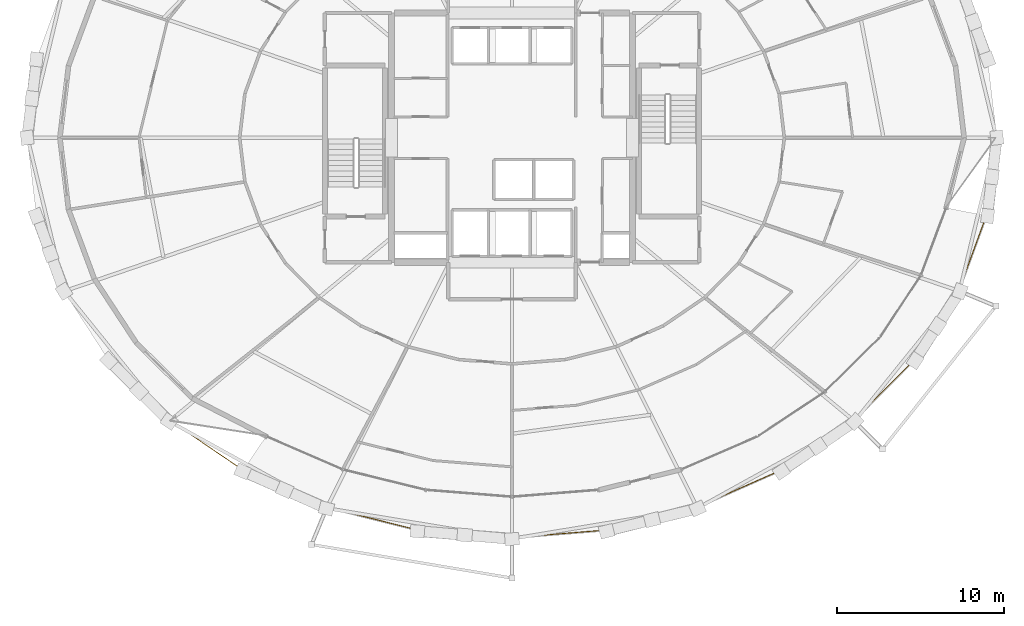
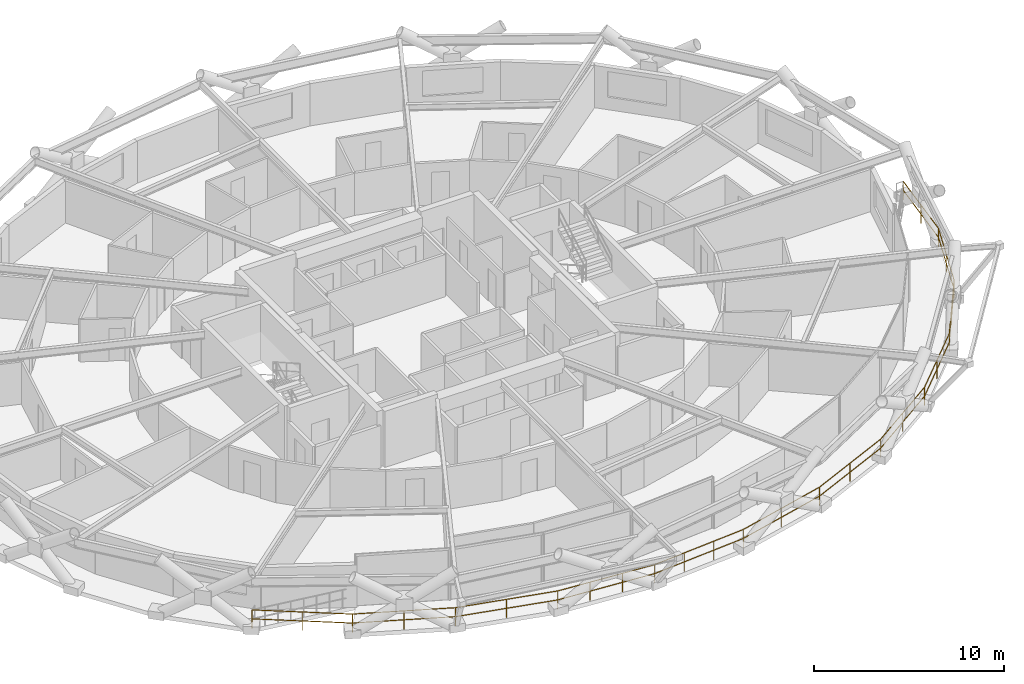
# One storey, part 19 of 20: 1 railing.
"""IFC4 building model written with IfcOpenShell, lengths in metres."""

import ifcopenshell
import ifcopenshell.guid

model = None  # the IFC model being written
_history = None  # IfcOwnerHistory: only IFC2X3 demands one
_inside = {}  # id of a spatial element -> (the spatial element, [elements in it])
_under = {}  # id of a project, library or spatial element -> (it, [spatial elements below it])
_declared = {}  # id of a project -> (the project, [libraries it declares])
_typed = {}  # id of a type object -> (the type object, [elements of that type])
_made_of = {}  # id of a material, layer set ... -> (it, [elements and type objects made of it])


def new_model(schema):
    """Start an empty IFC model of exactly this schema.

    Asked for "IFC4X3", IfcOpenShell would pick the latest addendum, in which some entities
    have other attributes; the version numbers below select the first issue.
    IFC2X3 requires an IfcOwnerHistory on every rooted entity: one is made here for all.
    """
    global model, _history
    if schema == "IFC4X3":
        model = ifcopenshell.file(schema_version=(4, 3, 0, 0))
    else:
        model = ifcopenshell.file(schema=schema)
    _inside.clear()
    _under.clear()
    _declared.clear()
    _typed.clear()
    _made_of.clear()
    _history = None
    if model.schema == "IFC2X3":
        org = make("IfcOrganization", Name="unknown")
        user = make(
            "IfcPersonAndOrganization",
            ThePerson=make("IfcPerson", FamilyName="unknown"),
            TheOrganization=org,
        )
        app = make(
            "IfcApplication",
            ApplicationDeveloper=org,
            Version="unknown",
            ApplicationFullName="unknown",
            ApplicationIdentifier="unknown",
        )
        _history = make(
            "IfcOwnerHistory",
            OwningUser=user,
            OwningApplication=app,
            ChangeAction="ADDED",
            CreationDate=0,
        )
    return model


def make(cls, **values):
    """One entity of the class cls with the attributes given. An attribute that is None is left unset."""
    return model.create_entity(
        cls, **{name: value for name, value in values.items() if value is not None}
    )


def rooted(cls, **values):
    """An entity with a GlobalId (a new one), such as an element, a storey or a relation."""
    return make(cls, GlobalId=ifcopenshell.guid.new(), OwnerHistory=_history, **values)


def si_unit(unit_type, name, prefix=None):
    """IfcSIUnit, for example si_unit("LENGTHUNIT", "METRE", prefix="MILLI")."""
    return make("IfcSIUnit", UnitType=unit_type, Prefix=prefix, Name=name)


def assignment(units):
    """IfcUnitAssignment: the units of a project."""
    return None if units is None else make("IfcUnitAssignment", Units=units)


def point(xyz):
    """IfcCartesianPoint."""
    return None if xyz is None else make("IfcCartesianPoint", Coordinates=xyz)


def direction(xyz):
    """IfcDirection."""
    return None if xyz is None else make("IfcDirection", DirectionRatios=xyz)


def frame(location, z_axis=None, x_axis=None):
    """IfcAxis2Placement3D, a coordinate frame: its origin and axes. An axis left out is left unset."""
    return make(
        "IfcAxis2Placement3D",
        Location=point(location),
        Axis=direction(z_axis),
        RefDirection=direction(x_axis),
    )


def frame_2d(location, x_axis=None):
    """IfcAxis2Placement2D, a coordinate frame in the plane: its origin and x axis."""
    return make(
        "IfcAxis2Placement2D", Location=point(location), RefDirection=direction(x_axis)
    )


def origin():
    """The frame at (0, 0, 0) with its axes left unset."""
    return frame((0.0, 0.0, 0.0))


def origin_2d():
    """The frame at (0, 0) in the plane with its x axis left unset."""
    return frame_2d((0.0, 0.0))


def place(relative_to, where):
    """IfcLocalPlacement: puts the frame where relative to a parent placement (None: the world)."""
    return make(
        "IfcLocalPlacement", PlacementRelTo=relative_to, RelativePlacement=where
    )


def context(
    kind, dimensions, precision=None, world=None, true_north=None, identifier=None
):
    """IfcGeometricRepresentationContext, for example the 3D "Model" context."""
    return make(
        "IfcGeometricRepresentationContext",
        ContextIdentifier=identifier,
        ContextType=kind,
        CoordinateSpaceDimension=dimensions,
        Precision=precision,
        WorldCoordinateSystem=world,
        TrueNorth=true_north,
    )


def subcontext(parent, identifier, kind, view, scale=None):
    """IfcGeometricRepresentationSubContext, for example "Body" below "Model"."""
    return make(
        "IfcGeometricRepresentationSubContext",
        ContextIdentifier=identifier,
        ContextType=kind,
        ParentContext=parent,
        TargetScale=scale,
        TargetView=view,
    )


def project(units=None, contexts=None):
    """IfcProject with its units and contexts."""
    return rooted(
        "IfcProject",
        Name="project",
        RepresentationContexts=contexts,
        UnitsInContext=assignment(units),
    )


def spatial(cls, under=None, at=None, **own):
    """A site, building, storey or space (cls), placed at a placement, below another one or the project."""
    s = rooted(cls, ObjectPlacement=at, **own)
    if under is not None:
        _under.setdefault(under.id(), (under, []))[1].append(s)
    return s


def profile(cls, at=None, kind="AREA", **sizes):
    """A parametric profile (cls). Its sizes go by their IFC names, for example OverallWidth=200.0."""
    return make(cls, ProfileType=kind, Position=at, **sizes)


def circle(**sizes):
    """IfcCircleProfileDef."""
    return profile("IfcCircleProfileDef", **sizes)


def extrude(swept, where, along, depth):
    """IfcExtrudedAreaSolid: the profile swept, set in the frame where, extruded along a direction by depth."""
    return make(
        "IfcExtrudedAreaSolid",
        SweptArea=swept,
        Position=where,
        ExtrudedDirection=direction(along),
        Depth=depth,
    )


def shape(context_of_items, identifier, shape_type, items):
    """IfcShapeRepresentation: the items that make up one representation, for example the "Body"."""
    return make(
        "IfcShapeRepresentation",
        ContextOfItems=context_of_items,
        RepresentationIdentifier=identifier,
        RepresentationType=shape_type,
        Items=items,
    )


def material(Name=None, Category=None):
    """IfcMaterial."""
    return make("IfcMaterial", Name=Name, Category=Category)


def made_of(thing, what):
    """Note that an element or type object is made of a material, layer set ...; save() writes the relation."""
    if what is not None:
        _made_of.setdefault(what.id(), (what, []))[1].append(thing)
    return thing


def type_object(cls, material=None, **own):
    """A type object (cls), such as IfcWallType, which elements share."""
    return made_of(rooted(cls, **own), material)


def element(
    cls,
    number,
    at=None,
    inside=None,
    cuts=None,
    type_object=None,
    material=None,
    context=None,
    identifier="Body",
    shape_type=None,
    held_by="IfcProductDefinitionShape",
    body=None,
    shapes=None,
    **own,
):
    """One element of the class cls, such as IfcWall. Its Tag is "e" and its number.

    at: its placement. inside: the storey or other place that contains it. cuts: it is an
    opening in that element (IfcRelVoidsElement). A single representation is given by context,
    identifier, shape_type and body (its items); several are given by shapes. held_by: the class
    of the entity that holds the representations. save() writes the other relations.
    """
    e = rooted(cls, Tag="e%d" % number, ObjectPlacement=at, **own)
    if body is not None:
        shapes = [shape(context, identifier, shape_type, body)]
    if shapes is not None:
        e.Representation = make(held_by, Representations=shapes)
    if inside is not None:
        _inside.setdefault(inside.id(), (inside, []))[1].append(e)
    if cuts is not None:
        rooted(
            "IfcRelVoidsElement", RelatingBuildingElement=cuts, RelatedOpeningElement=e
        )
    if type_object is not None:
        _typed.setdefault(type_object.id(), (type_object, []))[1].append(e)
    return made_of(e, material)


def aggregate(whole, parts):
    """IfcRelAggregates: a whole, such as a stair, and the parts it consists of."""
    return rooted("IfcRelAggregates", RelatingObject=whole, RelatedObjects=parts)


def save(model, path):
    """Write the relations noted so far, then the file.

    IfcRelAggregates (storeys below a building ...), IfcRelContainedInSpatialStructure (elements
    in a storey), IfcRelDefinesByType, IfcRelAssociatesMaterial and IfcRelDeclares: one each for
    every whole, place, type object, material and project.
    """
    for whole, parts in _under.values():
        aggregate(whole, parts)
    for where, things in _inside.values():
        rooted(
            "IfcRelContainedInSpatialStructure",
            RelatedElements=things,
            RelatingStructure=where,
        )
    for kind, things in _typed.values():
        rooted("IfcRelDefinesByType", RelatedObjects=things, RelatingType=kind)
    for what, things in _made_of.values():
        rooted("IfcRelAssociatesMaterial", RelatedObjects=things, RelatingMaterial=what)
    for by, libraries in _declared.values():
        rooted("IfcRelDeclares", RelatingContext=by, RelatedDefinitions=libraries)
    model.write(path)


model = new_model("IFC4")

# Units and contexts
model_context = context("Model", 3, precision=1e-05, world=origin(), true_north=direction((0.0, 1.0)))
body_context = subcontext(model_context, "Body", "Model", "MODEL_VIEW")
ifc_project = project(units=[si_unit("LENGTHUNIT", "METRE"), si_unit("AREAUNIT", "SQUARE_METRE"), si_unit("VOLUMEUNIT", "CUBIC_METRE"), si_unit("PLANEANGLEUNIT", "RADIAN"), si_unit("MASSUNIT", "GRAM", prefix="KILO")], contexts=[model_context])

# Site, building, storey
site_placement = place(None, origin())
site = spatial("IfcSite", under=ifc_project, at=site_placement, CompositionType="ELEMENT")
building_placement = place(site_placement, origin())
building = spatial("IfcBuilding", under=site, at=building_placement, Name="Veldorina Hangang Commons", CompositionType="ELEMENT")
storey_placement = place(building_placement, frame((0.0, 0.0, 84.39990234375)))
storey = spatial("IfcBuildingStorey", under=building, at=storey_placement, Name="L21", CompositionType="ELEMENT", Elevation=84.39990234375)

# Railing
ifc_material = material(Name="Glass Laminated Safety Balustrade", Category="glass")
railing_type = type_object("IfcRailingType", Name="RL-BAL-LOGGIA", PredefinedType="BALUSTRADE", material=ifc_material)
railing_placement = place(storey_placement, frame((11.5703125, 7.0908203125, 0.0)))
element("IfcRailing", 1, at=railing_placement, inside=storey, type_object=railing_type, Name="L21 sky-garden loggia outer balustrade", PredefinedType="BALUSTRADE", context=body_context, shape_type="SweptSolid", body=[
    extrude(circle(Radius=0.02392578125, at=origin_2d()), frame((0.0, 0.0, 1.17578125), z_axis=(0.82752399083, -0.561430355966, 0.0), x_axis=(0.561430355966, 0.82752399083, 0.0)), (0.0, 0.0, 1.0), 5.29296875),
    extrude(circle(Radius=0.02392578125, at=origin_2d()), frame((0.0, 0.0, 0.60009765625), z_axis=(0.82752399083, -0.561430355966, 0.0), x_axis=(0.561430355966, 0.82752399083, 0.0)), (0.0, 0.0, 1.0), 5.29296875),
    extrude(circle(Radius=0.02392578125, at=origin_2d()), frame((4.380126953125, -2.9716796875, 1.17578125), z_axis=(0.914708893426, -0.404113400282, 0.0), x_axis=(0.404113400282, 0.914708893426, 0.0)), (0.0, 0.0, 1.0), 5.46142578125),
    extrude(circle(Radius=0.02392578125, at=origin_2d()), frame((4.380126953125, -2.9716796875, 0.60009765625), z_axis=(0.914708893426, -0.404113400282, 0.0), x_axis=(0.404113400282, 0.914708893426, 0.0)), (0.0, 0.0, 1.0), 5.46142578125),
    extrude(circle(Radius=0.02392578125, at=origin_2d()), frame((9.375732421875, -5.1787109375, 1.17578125), z_axis=(0.969980341595, -0.243183340135, 0.0), x_axis=(0.243183340135, 0.969980341595, 0.0)), (0.0, 0.0, 1.0), 5.5869140625),
    extrude(circle(Radius=0.02392578125, at=origin_2d()), frame((9.375732421875, -5.1787109375, 0.60009765625), z_axis=(0.969980341595, -0.243183340135, 0.0), x_axis=(0.243183340135, 0.969980341595, 0.0)), (0.0, 0.0, 1.0), 5.5869140625),
    extrude(circle(Radius=0.02392578125, at=origin_2d()), frame((14.794921875, -6.537353515625, 1.17578125), z_axis=(0.996702387572, -0.081144011536, 0.0), x_axis=(0.081144011536, 0.996702387572, 0.0)), (0.0, 0.0, 1.0), 5.6533203125),
    extrude(circle(Radius=0.02392578125, at=origin_2d()), frame((14.794921875, -6.537353515625, 0.60009765625), z_axis=(0.996702387572, -0.081144011536, 0.0), x_axis=(0.081144011536, 0.996702387572, 0.0)), (0.0, 0.0, 1.0), 5.6533203125),
    extrude(circle(Radius=0.02392578125, at=origin_2d()), frame((20.4296875, -6.99609375, 1.17578125), z_axis=(0.996702387572, 0.081144011536, 0.0), x_axis=(-0.081144011536, 0.996702387572, 0.0)), (0.0, 0.0, 1.0), 5.6533203125),
    extrude(circle(Radius=0.02392578125, at=origin_2d()), frame((20.4296875, -6.99609375, 0.60009765625), z_axis=(0.996702387572, 0.081144011536, 0.0), x_axis=(-0.081144011536, 0.996702387572, 0.0)), (0.0, 0.0, 1.0), 5.6533203125),
    extrude(circle(Radius=0.02392578125, at=origin_2d()), frame((26.064453125, -6.537353515625, 1.17578125), z_axis=(0.969980341595, 0.243183340135, 0.0), x_axis=(-0.243183340135, 0.969980341595, 0.0)), (0.0, 0.0, 1.0), 5.5869140625),
    extrude(circle(Radius=0.02392578125, at=origin_2d()), frame((26.064453125, -6.537353515625, 0.60009765625), z_axis=(0.969980341595, 0.243183340135, 0.0), x_axis=(-0.243183340135, 0.969980341595, 0.0)), (0.0, 0.0, 1.0), 5.5869140625),
    extrude(circle(Radius=0.02392578125, at=origin_2d()), frame((31.483642578125, -5.1787109375, 1.17578125), z_axis=(0.914708893426, 0.404113400282, 0.0), x_axis=(-0.404113400282, 0.914708893426, 0.0)), (0.0, 0.0, 1.0), 5.46142578125),
    extrude(circle(Radius=0.02392578125, at=origin_2d()), frame((31.483642578125, -5.1787109375, 0.60009765625), z_axis=(0.914708893426, 0.404113400282, 0.0), x_axis=(-0.404113400282, 0.914708893426, 0.0)), (0.0, 0.0, 1.0), 5.46142578125),
    extrude(circle(Radius=0.02392578125, at=origin_2d()), frame((36.479248046875, -2.9716796875, 1.17578125), z_axis=(0.82752399083, 0.561430355966, 0.0), x_axis=(-0.561430355966, 0.82752399083, 0.0)), (0.0, 0.0, 1.0), 5.29296875),
    extrude(circle(Radius=0.02392578125, at=origin_2d()), frame((36.479248046875, -2.9716796875, 0.60009765625), z_axis=(0.82752399083, 0.561430355966, 0.0), x_axis=(-0.561430355966, 0.82752399083, 0.0)), (0.0, 0.0, 1.0), 5.29296875),
    extrude(circle(Radius=0.02392578125, at=origin_2d()), frame((40.859375, 0.0, 1.17578125), z_axis=(0.70447094338, 0.709732829967, 0.0), x_axis=(-0.709732829967, 0.70447094338, 0.0)), (0.0, 0.0, 1.0), 5.103759765625),
    extrude(circle(Radius=0.02392578125, at=origin_2d()), frame((40.859375, 0.0, 0.60009765625), z_axis=(0.70447094338, 0.709732829967, 0.0), x_axis=(-0.709732829967, 0.70447094338, 0.0)), (0.0, 0.0, 1.0), 5.103759765625),
    extrude(circle(Radius=0.02392578125, at=origin_2d()), frame((44.454833984375, 3.622314453125, 1.17578125), z_axis=(0.542879012018, 0.839810918189, 0.0), x_axis=(-0.839810918189, 0.542879012018, 0.0)), (0.0, 0.0, 1.0), 4.922607421875),
    extrude(circle(Radius=0.02392578125, at=origin_2d()), frame((44.454833984375, 3.622314453125, 0.60009765625), z_axis=(0.542879012018, 0.839810918189, 0.0), x_axis=(-0.839810918189, 0.542879012018, 0.0)), (0.0, 0.0, 1.0), 4.922607421875),
    extrude(circle(Radius=0.02392578125, at=origin_2d()), frame((47.127197265625, 7.75634765625, 1.17578125), z_axis=(0.344379237003, 0.938830624299, 0.0), x_axis=(-0.938830624299, 0.344379237003, 0.0)), (0.0, 0.0, 1.0), 4.77880859375),
    extrude(circle(Radius=0.02392578125, at=origin_2d()), frame((47.127197265625, 7.75634765625, 0.60009765625), z_axis=(0.344379237003, 0.938830624299, 0.0), x_axis=(-0.938830624299, 0.344379237003, 0.0)), (0.0, 0.0, 1.0), 4.77880859375),
    extrude(circle(Radius=0.02392578125, at=origin_2d()), frame((48.77294921875, 12.242919921875, 1.17578125), z_axis=(0.11824582158, 0.992984353189, 0.0), x_axis=(-0.992984353189, 0.11824582158, 0.0)), (0.0, 0.0, 1.0), 4.69921875),
    extrude(circle(Radius=0.02392578125, at=origin_2d()), frame((48.77294921875, 12.242919921875, 0.60009765625), z_axis=(0.11824582158, 0.992984353189, 0.0), x_axis=(-0.992984353189, 0.11824582158, 0.0)), (0.0, 0.0, 1.0), 4.69921875),
    extrude(circle(Radius=0.02099609375, at=origin_2d()), origin(), (0.0, 0.0, 1.0), 1.15185546875),
    extrude(circle(Radius=0.02099609375, at=origin_2d()), frame((2.18994140625, -1.48583984375, 0.0)), (0.0, 0.0, 1.0), 1.15185546875),
    extrude(circle(Radius=0.02099609375, at=origin_2d()), frame((4.380126953125, -2.9716796875, 0.0)), (0.0, 0.0, 1.0), 1.15185546875),
    extrude(circle(Radius=0.02099609375, at=origin_2d()), frame((6.8779296875, -4.0751953125, 0.0)), (0.0, 0.0, 1.0), 1.15185546875),
    extrude(circle(Radius=0.02099609375, at=origin_2d()), frame((9.375732421875, -5.1787109375, 0.0)), (0.0, 0.0, 1.0), 1.15185546875),
    extrude(circle(Radius=0.02099609375, at=origin_2d()), frame((12.08544921875, -5.85791015625, 0.0)), (0.0, 0.0, 1.0), 1.15185546875),
    extrude(circle(Radius=0.02099609375, at=origin_2d()), frame((14.794921875, -6.537353515625, 0.0)), (0.0, 0.0, 1.0), 1.15185546875),
    extrude(circle(Radius=0.02099609375, at=origin_2d()), frame((16.673095703125, -6.690185546875, 0.0)), (0.0, 0.0, 1.0), 1.15185546875),
    extrude(circle(Radius=0.02099609375, at=origin_2d()), frame((18.551513671875, -6.84326171875, 0.0)), (0.0, 0.0, 1.0), 1.15185546875),
    extrude(circle(Radius=0.02099609375, at=origin_2d()), frame((20.4296875, -6.99609375, 0.0)), (0.0, 0.0, 1.0), 1.15185546875),
    extrude(circle(Radius=0.02099609375, at=origin_2d()), frame((22.307861328125, -6.84326171875, 0.0)), (0.0, 0.0, 1.0), 1.15185546875),
    extrude(circle(Radius=0.02099609375, at=origin_2d()), frame((24.186279296875, -6.690185546875, 0.0)), (0.0, 0.0, 1.0), 1.15185546875),
    extrude(circle(Radius=0.02099609375, at=origin_2d()), frame((26.064453125, -6.537353515625, 0.0)), (0.0, 0.0, 1.0), 1.15185546875),
    extrude(circle(Radius=0.02099609375, at=origin_2d()), frame((28.77392578125, -5.85791015625, 0.0)), (0.0, 0.0, 1.0), 1.15185546875),
    extrude(circle(Radius=0.02099609375, at=origin_2d()), frame((31.483642578125, -5.1787109375, 0.0)), (0.0, 0.0, 1.0), 1.15185546875),
    extrude(circle(Radius=0.02099609375, at=origin_2d()), frame((33.9814453125, -4.0751953125, 0.0)), (0.0, 0.0, 1.0), 1.15185546875),
    extrude(circle(Radius=0.02099609375, at=origin_2d()), frame((36.479248046875, -2.9716796875, 0.0)), (0.0, 0.0, 1.0), 1.15185546875),
    extrude(circle(Radius=0.02099609375, at=origin_2d()), frame((38.66943359375, -1.48583984375, 0.0)), (0.0, 0.0, 1.0), 1.15185546875),
    extrude(circle(Radius=0.02099609375, at=origin_2d()), frame((40.859375, 0.0, 0.0)), (0.0, 0.0, 1.0), 1.15185546875),
    extrude(circle(Radius=0.02099609375, at=origin_2d()), frame((42.6572265625, 1.81103515625, 0.0)), (0.0, 0.0, 1.0), 1.15185546875),
    extrude(circle(Radius=0.02099609375, at=origin_2d()), frame((44.454833984375, 3.622314453125, 0.0)), (0.0, 0.0, 1.0), 1.15185546875),
    extrude(circle(Radius=0.02099609375, at=origin_2d()), frame((45.791015625, 5.689453125, 0.0)), (0.0, 0.0, 1.0), 1.15185546875),
    extrude(circle(Radius=0.02099609375, at=origin_2d()), frame((47.127197265625, 7.75634765625, 0.0)), (0.0, 0.0, 1.0), 1.15185546875),
    extrude(circle(Radius=0.02099609375, at=origin_2d()), frame((47.9501953125, 9.99951171875, 0.0)), (0.0, 0.0, 1.0), 1.15185546875),
    extrude(circle(Radius=0.02099609375, at=origin_2d()), frame((48.77294921875, 12.242919921875, 0.0)), (0.0, 0.0, 1.0), 1.15185546875),
    extrude(circle(Radius=0.02099609375, at=origin_2d()), frame((49.05078125, 14.576171875, 0.0)), (0.0, 0.0, 1.0), 1.15185546875),
    extrude(circle(Radius=0.02099609375, at=origin_2d()), frame((49.32861328125, 16.9091796875, 0.0)), (0.0, 0.0, 1.0), 1.15185546875),
])

save(model, "model.ifc")
